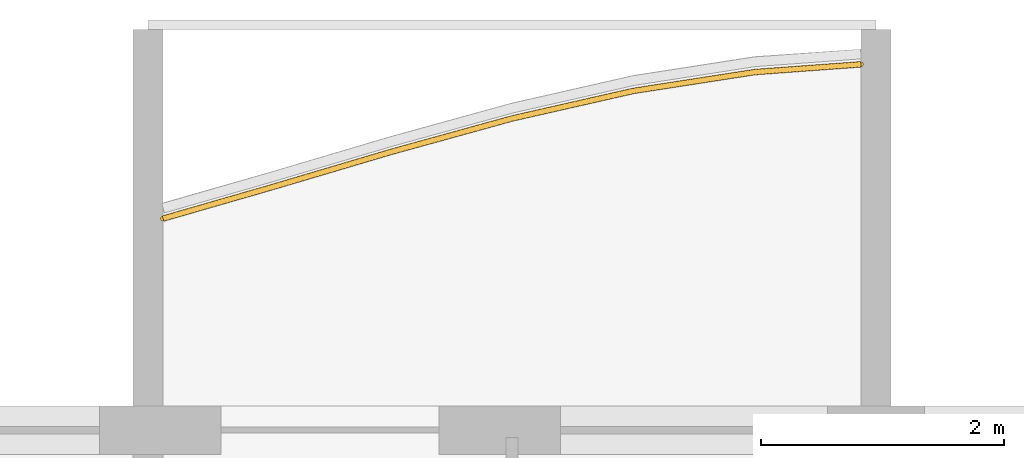
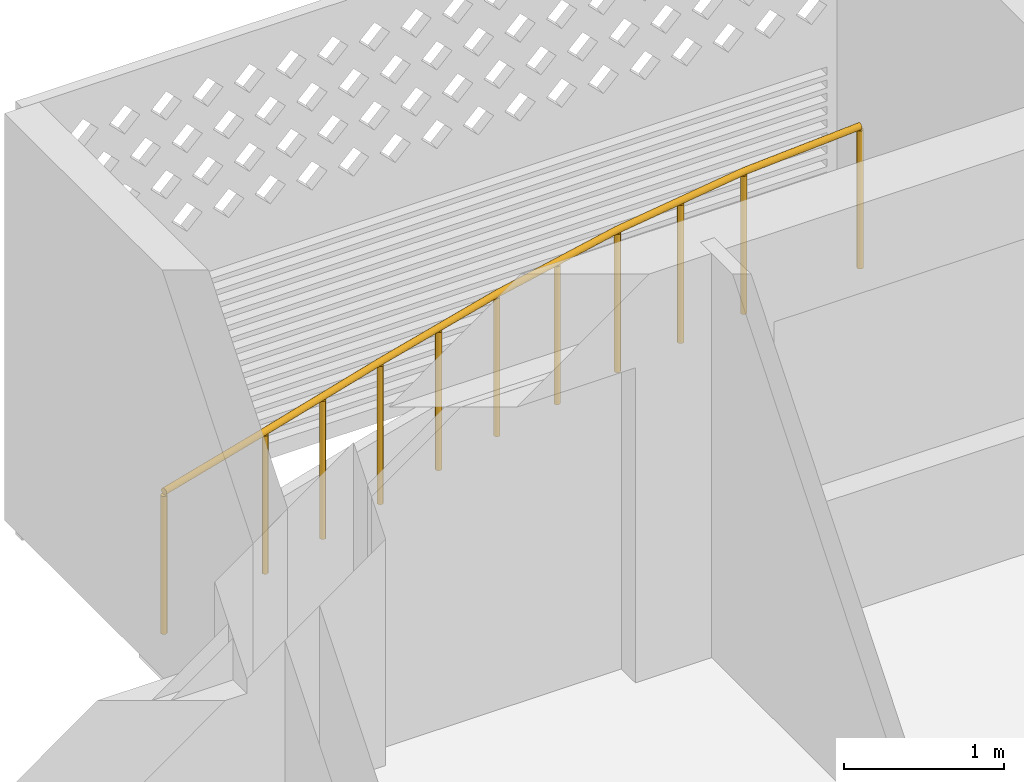
# One storey, part 20 of 27: 1 railing.
"""IFC4 building model written with IfcOpenShell, lengths in metres."""

from ifc_helpers import new_model, si_unit, direction, frame, origin, origin_2d, place, context, subcontext, project, spatial, circle, extrude, material, type_object, element, save


model = new_model("IFC4")

# Units and contexts
model_context = context("Model", 3, precision=1e-05, world=origin(), true_north=direction((0.0, 1.0)))
body_context = subcontext(model_context, "Body", "Model", "MODEL_VIEW")
ifc_project = project(units=[si_unit("LENGTHUNIT", "METRE"), si_unit("AREAUNIT", "SQUARE_METRE"), si_unit("VOLUMEUNIT", "CUBIC_METRE"), si_unit("PLANEANGLEUNIT", "RADIAN"), si_unit("MASSUNIT", "GRAM", prefix="KILO")], contexts=[model_context])

# Site, building, storey
site_placement = place(None, origin())
site = spatial("IfcSite", under=ifc_project, at=site_placement, CompositionType="ELEMENT")
building_placement = place(site_placement, origin())
building = spatial("IfcBuilding", under=site, at=building_placement, Name="Poui Terraces", CompositionType="ELEMENT")
storey_placement = place(building_placement, frame((0.0, 0.0, 198.300048828125)))
storey = spatial("IfcBuildingStorey", under=building, at=storey_placement, Name="L55", CompositionType="ELEMENT", Elevation=198.300048828125)

# Railing
ifc_material = material(Name="Painted steel fretwork", Category="steel")
railing_type = type_object("IfcRailingType", Name="BALCONY GUARD 1100", PredefinedType="GUARDRAIL", material=ifc_material)
railing_placement = place(storey_placement, frame((42.125, 42.94384765625, 0.0)))
element("IfcRailing", 1, at=railing_placement, inside=storey, type_object=railing_type, Name="BALCONY GUARD", PredefinedType="GUARDRAIL", context=body_context, shape_type="SweptSolid", body=[
    extrude(circle(Radius=0.02392578125, at=origin_2d()), frame((0.0, 0.0, 1.076171875), z_axis=(0.960955301601, 0.276703647113, 0.0), x_axis=(-0.276703647113, 0.960955301601, 0.0)), (0.0, 0.0, 1.0), 0.91064453125),
    extrude(circle(Radius=0.02392578125, at=origin_2d()), frame((0.875, 0.251953125, 1.076171875), z_axis=(0.958774495191, 0.284168026651, 0.0), x_axis=(-0.284168026651, 0.958774495191, 0.0)), (0.0, 0.0, 1.0), 1.04296875),
    extrude(circle(Radius=0.02392578125, at=origin_2d()), frame((1.875, 0.54833984375, 1.076171875), z_axis=(0.963928100541, 0.26616276409, 0.0), x_axis=(-0.26616276409, 0.963928100541, 0.0)), (0.0, 0.0, 1.0), 1.037353515625),
    extrude(circle(Radius=0.02392578125, at=origin_2d()), frame((2.875, 0.824462890625, 1.076171875), z_axis=(0.975128178395, 0.221641683127, 0.0), x_axis=(-0.221641683127, 0.975128178395, 0.0)), (0.0, 0.0, 1.0), 1.025390625),
    extrude(circle(Radius=0.02392578125, at=origin_2d()), frame((3.875, 1.0517578125, 1.076171875), z_axis=(0.9881587723, 0.153434809371, 0.0), x_axis=(-0.153434809371, 0.9881587723, 0.0)), (0.0, 0.0, 1.0), 1.011962890625),
    extrude(circle(Radius=0.02392578125, at=origin_2d()), frame((4.875, 1.20703125, 1.076171875), z_axis=(0.997358857639, 0.072631323059, 0.0), x_axis=(-0.072631323059, 0.997358857639, 0.0)), (0.0, 0.0, 1.0), 0.877197265625),
    extrude(circle(Radius=0.02099609375, at=origin_2d()), origin(), (0.0, 0.0, 1.0), 1.052001953125),
    extrude(circle(Radius=0.02099609375, at=origin_2d()), frame((0.875, 0.251953125, 0.0)), (0.0, 0.0, 1.0), 1.052001953125),
    extrude(circle(Radius=0.02099609375, at=origin_2d()), frame((1.375, 0.400146484375, 0.0)), (0.0, 0.0, 1.0), 1.052001953125),
    extrude(circle(Radius=0.02099609375, at=origin_2d()), frame((1.875, 0.54833984375, 0.0)), (0.0, 0.0, 1.0), 1.052001953125),
    extrude(circle(Radius=0.02099609375, at=origin_2d()), frame((2.375, 0.6865234375, 0.0)), (0.0, 0.0, 1.0), 1.052001953125),
    extrude(circle(Radius=0.02099609375, at=origin_2d()), frame((2.875, 0.824462890625, 0.0)), (0.0, 0.0, 1.0), 1.052001953125),
    extrude(circle(Radius=0.02099609375, at=origin_2d()), frame((3.375, 0.93798828125, 0.0)), (0.0, 0.0, 1.0), 1.052001953125),
    extrude(circle(Radius=0.02099609375, at=origin_2d()), frame((3.875, 1.0517578125, 0.0)), (0.0, 0.0, 1.0), 1.052001953125),
    extrude(circle(Radius=0.02099609375, at=origin_2d()), frame((4.375, 1.12939453125, 0.0)), (0.0, 0.0, 1.0), 1.052001953125),
    extrude(circle(Radius=0.02099609375, at=origin_2d()), frame((4.875, 1.20703125, 0.0)), (0.0, 0.0, 1.0), 1.052001953125),
    extrude(circle(Radius=0.02099609375, at=origin_2d()), frame((5.75, 1.270751953125, 0.0)), (0.0, 0.0, 1.0), 1.052001953125),
])

save(model, "model.ifc")
